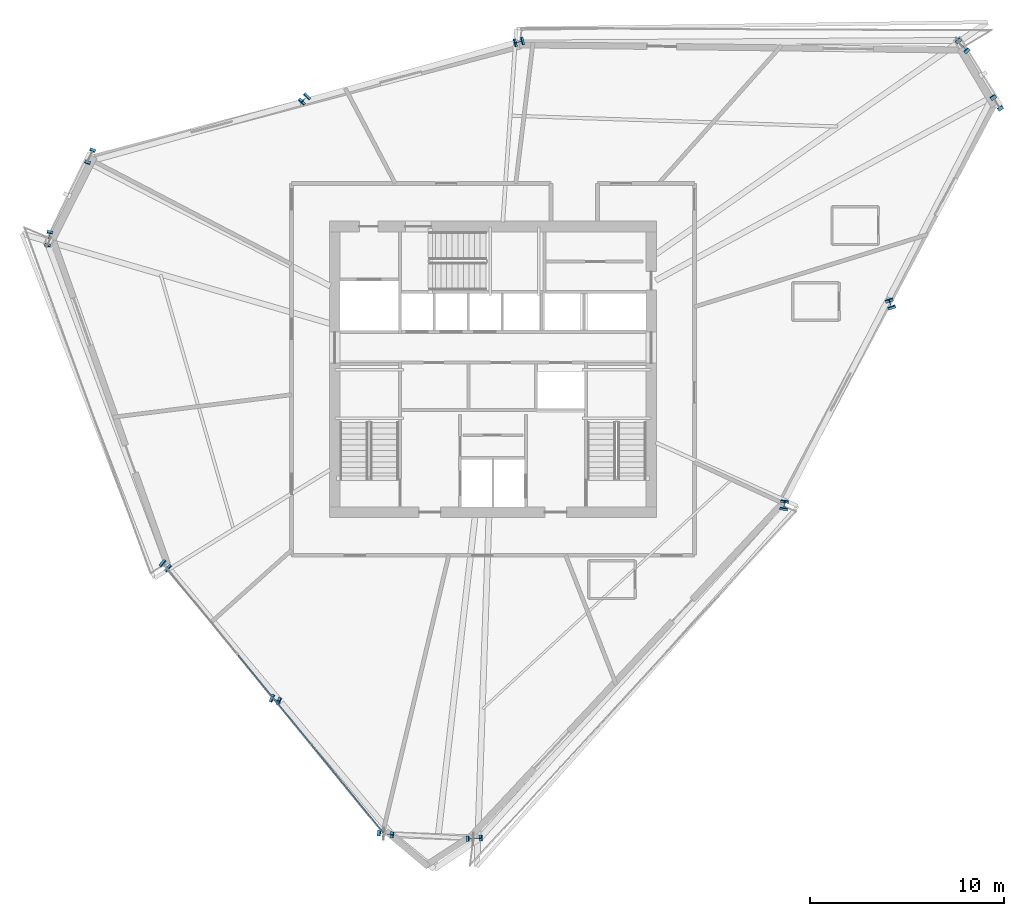
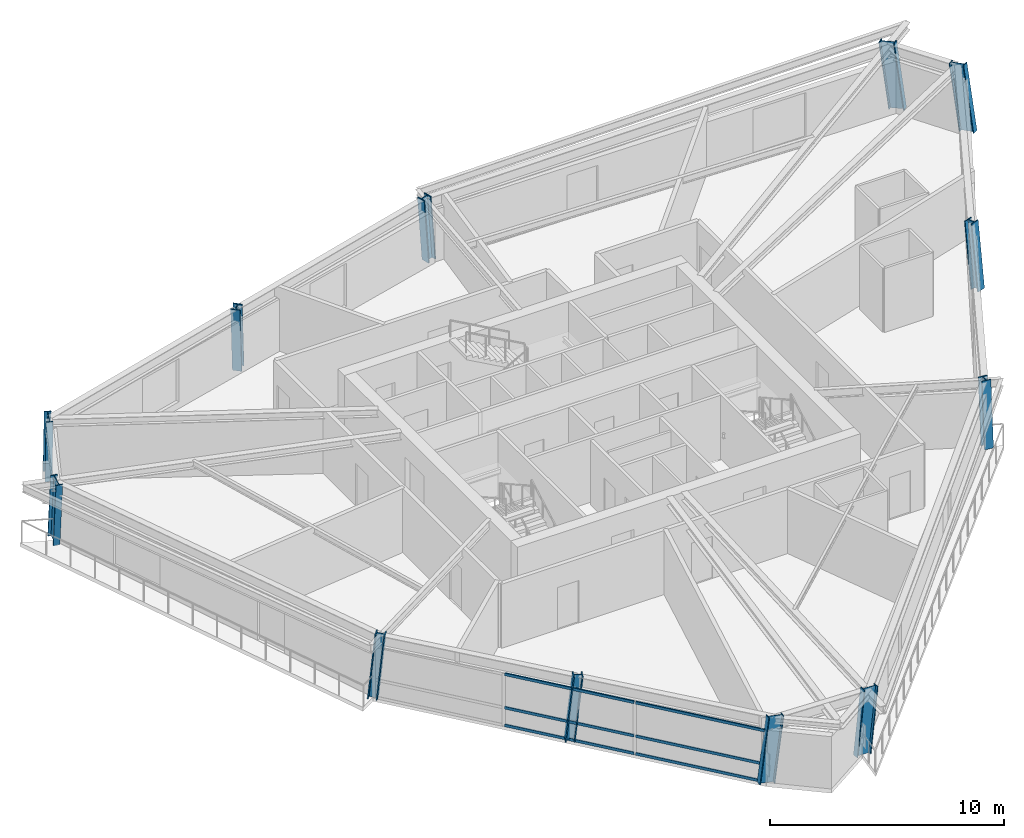
# One storey, part 1 of 15: 12 columns, 6 members, 1 element without a shape of its own.
"""IFC4 building model written with IfcOpenShell, lengths in metres."""

from ifc_helpers import new_model, si_unit, direction, frame, origin, origin_2d, place, context, subcontext, project, spatial, hollow_rectangle, i_section, extrude, source, transform, mapped, material, material_profile, profile_set, type_object, element, aggregate, save


model = new_model("IFC4")

# Units and contexts
model_context = context("Model", 3, precision=1e-05, world=origin(), true_north=direction((0.0, 1.0)))
body_context = subcontext(model_context, "Body", "Model", "MODEL_VIEW")
ifc_project = project(units=[si_unit("LENGTHUNIT", "METRE"), si_unit("AREAUNIT", "SQUARE_METRE"), si_unit("VOLUMEUNIT", "CUBIC_METRE"), si_unit("PLANEANGLEUNIT", "RADIAN"), si_unit("MASSUNIT", "GRAM", prefix="KILO")], contexts=[model_context])

# Site, building, storey
site_placement = place(None, origin())
site = spatial("IfcSite", under=ifc_project, at=site_placement, CompositionType="ELEMENT")
building_placement = place(site_placement, origin())
building = spatial("IfcBuilding", under=site, at=building_placement, Name="Olszyna Solenne Hotel", CompositionType="ELEMENT")
storey_placement = place(building_placement, frame((0.0, 0.0, 160.800048828125)))
storey = spatial("IfcBuildingStorey", under=building, at=storey_placement, Name="L42", CompositionType="ELEMENT", Elevation=160.800048828125)

# Columns
ifc_material_1 = material(Name="Steel S460M", Category="steel")
ifc_material_profile_1 = material_profile(ifc_material_1, i_section(OverallWidth=0.303955078125, OverallDepth=0.716064453125, WebThickness=0.02099609375, FlangeThickness=0.0400390625, at=origin_2d()), Name="HEM 700", Category="load-bearing")
ifc_profile_set_1 = profile_set([ifc_material_profile_1], Name="Steel S460M")
column_type_1 = type_object("IfcColumnType", Name="COL-K2", PredefinedType="COLUMN", material=ifc_profile_set_1)
shared_shape_1 = source(origin(), body_context, "Body", "SweptSolid", [
    extrude(i_section(OverallWidth=0.303955078125, OverallDepth=0.716064453125, WebThickness=0.02099609375, FlangeThickness=0.0400390625, at=origin_2d()), origin(), (0.0, 0.0, 1.0), 3.404296875),
])
column_1_placement = place(storey_placement, frame((36.969970703125, 2.372314453125, 0.0), z_axis=(0.106280411024, 0.006167419263, 0.994317070744), x_axis=(-0.057932229792, 0.998320518046, 0.0)))
element("IfcColumn", 1, at=column_1_placement, inside=storey, type_object=column_type_1, Name="Perimeter framed-tube column COL-K2 C-L42-10", PredefinedType="COLUMN", context=body_context, shape_type="MappedRepresentation", body=[
    mapped(shared_shape_1, transform((0.0, 0.0, 0.0), x_axis=(1.0, 0.0, 0.0), y_axis=(0.0, 1.0, 0.0), z_axis=(0.0, 0.0, 1.0), scale=1.0)),
])
shared_shape_2 = source(origin(), body_context, "Body", "SweptSolid", [
    extrude(i_section(OverallWidth=0.303955078125, OverallDepth=0.716064453125, WebThickness=0.02099609375, FlangeThickness=0.0400390625, at=origin_2d()), origin(), (0.0, 0.0, 1.0), 3.4189453125),
])
column_2_placement = place(storey_placement, frame((64.06396484375, 40.2861328125, 0.0), z_axis=(-0.077692176517, 0.11710953078, 0.990075392841), x_axis=(-0.833298909309, -0.552822691054, 0.0)))
element("IfcColumn", 2, at=column_2_placement, inside=storey, type_object=column_type_1, Name="Perimeter framed-tube column COL-K2 C-L42-01", PredefinedType="COLUMN", context=body_context, shape_type="MappedRepresentation", body=[
    mapped(shared_shape_2, transform((0.0, 0.0, 0.0), x_axis=(1.0, 0.0, 0.0), y_axis=(0.0, 1.0, 0.0), z_axis=(0.0, 0.0, 1.0), scale=1.0)),
])
shared_shape_3 = source(origin(), body_context, "Body", "SweptSolid", [
    extrude(i_section(OverallWidth=0.303955078125, OverallDepth=0.716064453125, WebThickness=0.02099609375, FlangeThickness=0.0400390625, at=origin_2d()), origin(), (0.0, 0.0, 1.0), 3.41455078125),
])
column_3_placement = place(storey_placement, frame((62.302978515625, 43.24609375, 0.0), z_axis=(-0.085515107199, 0.099457787721, 0.99136033555), x_axis=(-0.758255258479, -0.651957792337, 0.0)))
element("IfcColumn", 3, at=column_3_placement, inside=storey, type_object=column_type_1, Name="Perimeter framed-tube column COL-K2 C-L42-02", PredefinedType="COLUMN", context=body_context, shape_type="MappedRepresentation", body=[
    mapped(shared_shape_3, transform((0.0, 0.0, 0.0), x_axis=(1.0, 0.0, 0.0), y_axis=(0.0, 1.0, 0.0), z_axis=(0.0, 0.0, 1.0), scale=1.0)),
])
ifc_material_profile_2 = material_profile(ifc_material_1, i_section(OverallWidth=0.412109375, OverallDepth=0.43505859375, WebThickness=0.031494140625, FlangeThickness=0.050048828125, at=origin_2d()), Name="HD 400x463", Category="load-bearing")
ifc_profile_set_2 = profile_set([ifc_material_profile_2], Name="Steel S460M")
column_type_2 = type_object("IfcColumnType", Name="COL-T3", PredefinedType="COLUMN", material=ifc_profile_set_2)
shared_shape_4 = source(origin(), body_context, "Body", "SweptSolid", [
    extrude(i_section(OverallWidth=0.412109375, OverallDepth=0.43505859375, WebThickness=0.031494140625, FlangeThickness=0.050048828125, at=origin_2d()), origin(), (0.0, 0.0, 1.0), 3.395751953125),
])
column_4_placement = place(storey_placement, frame((39.381591796875, 43.518798828125, 0.0), z_axis=(-0.077429287371, -0.019698815914, 0.996803221358), x_axis=(0.246556357223, -0.969128455218, 0.0)))
element("IfcColumn", 4, at=column_4_placement, inside=storey, type_object=column_type_2, Name="Perimeter framed-tube column COL-T3 C-L42-03", PredefinedType="COLUMN", context=body_context, shape_type="MappedRepresentation", body=[
    mapped(shared_shape_4, transform((0.0, 0.0, 0.0), x_axis=(1.0, 0.0, 0.0), y_axis=(0.0, 1.0, 0.0), z_axis=(0.0, 0.0, 1.0), scale=1.0)),
])
shared_shape_5 = source(origin(), body_context, "Body", "SweptSolid", [
    extrude(i_section(OverallWidth=0.412109375, OverallDepth=0.43505859375, WebThickness=0.031494140625, FlangeThickness=0.050048828125, at=origin_2d()), origin(), (0.0, 0.0, 1.0), 3.398193359375),
])
column_5_placement = place(storey_placement, frame((28.2998046875, 40.593017578125, 0.0), z_axis=(-0.061069254027, -0.062937254738, 0.99614730245), x_axis=(0.717677026067, -0.696376109768, 0.0)))
element("IfcColumn", 5, at=column_5_placement, inside=storey, type_object=column_type_2, Name="Perimeter framed-tube column COL-T3 C-L42-04", PredefinedType="COLUMN", context=body_context, shape_type="MappedRepresentation", body=[
    mapped(shared_shape_5, transform((0.0, 0.0, 0.0), x_axis=(1.0, 0.0, 0.0), y_axis=(0.0, 1.0, 0.0), z_axis=(0.0, 0.0, 1.0), scale=1.0)),
])
shared_shape_6 = source(origin(), body_context, "Body", "SweptSolid", [
    extrude(i_section(OverallWidth=0.303955078125, OverallDepth=0.716064453125, WebThickness=0.02099609375, FlangeThickness=0.0400390625, at=origin_2d()), origin(), (0.0, 0.0, 1.0), 3.40771484375),
])
column_6_placement = place(storey_placement, frame((17.218017578125, 37.66748046875, 0.0), z_axis=(-0.044563769491, -0.105964332922, 0.993370842434), x_axis=(0.92179953957, -0.38766687871, 0.0)))
element("IfcColumn", 6, at=column_6_placement, inside=storey, type_object=column_type_1, Name="Perimeter framed-tube column COL-K2 C-L42-05", PredefinedType="COLUMN", context=body_context, shape_type="MappedRepresentation", body=[
    mapped(shared_shape_6, transform((0.0, 0.0, 0.0), x_axis=(1.0, 0.0, 0.0), y_axis=(0.0, 1.0, 0.0), z_axis=(0.0, 0.0, 1.0), scale=1.0)),
])
shared_shape_7 = source(origin(), body_context, "Body", "SweptSolid", [
    extrude(i_section(OverallWidth=0.303955078125, OverallDepth=0.716064453125, WebThickness=0.02099609375, FlangeThickness=0.0400390625, at=origin_2d()), origin(), (0.0, 0.0, 1.0), 3.4033203125),
])
column_7_placement = place(storey_placement, frame((15.066162109375, 33.406982421875, 0.0), z_axis=(-0.018149442813, -0.101866437921, 0.994632508292), x_axis=(0.984496060055, -0.17540669239, 0.0)))
element("IfcColumn", 7, at=column_7_placement, inside=storey, type_object=column_type_1, Name="Perimeter framed-tube column COL-K2 C-L42-06", PredefinedType="COLUMN", context=body_context, shape_type="MappedRepresentation", body=[
    mapped(shared_shape_7, transform((0.0, 0.0, 0.0), x_axis=(1.0, 0.0, 0.0), y_axis=(0.0, 1.0, 0.0), z_axis=(0.0, 0.0, 1.0), scale=1.0)),
])
shared_shape_8 = source(origin(), body_context, "Body", "SweptSolid", [
    extrude(i_section(OverallWidth=0.412109375, OverallDepth=0.43505859375, WebThickness=0.031494140625, FlangeThickness=0.050048828125, at=origin_2d()), origin(), (0.0, 0.0, 1.0), 3.400634765625),
])
column_8_placement = place(storey_placement, frame((21.033203125, 16.501708984375, 0.0), z_axis=(0.071005167008, -0.063753880994, 0.995436441425), x_axis=(0.668091372088, 0.744079242112, 0.0)))
element("IfcColumn", 8, at=column_8_placement, inside=storey, type_object=column_type_2, Name="Perimeter framed-tube column COL-T3 C-L42-07", PredefinedType="COLUMN", context=body_context, shape_type="MappedRepresentation", body=[
    mapped(shared_shape_8, transform((0.0, 0.0, 0.0), x_axis=(1.0, 0.0, 0.0), y_axis=(0.0, 1.0, 0.0), z_axis=(0.0, 0.0, 1.0), scale=1.0)),
])
shared_shape_9 = source(origin(), body_context, "Body", "SweptSolid", [
    extrude(i_section(OverallWidth=0.412109375, OverallDepth=0.43505859375, WebThickness=0.031494140625, FlangeThickness=0.050048828125, at=origin_2d()), origin(), (0.0, 0.0, 1.0), 3.4033203125),
])
column_9_placement = place(storey_placement, frame((26.7060546875, 9.561279296875, 0.0), z_axis=(0.09562503385, -0.03959866368, 0.994629478115), x_axis=(0.382596654669, 0.923915472235, 0.0)))
element("IfcColumn", 9, at=column_9_placement, inside=storey, type_object=column_type_2, Name="Perimeter framed-tube column COL-T3 C-L42-08", PredefinedType="COLUMN", context=body_context, shape_type="MappedRepresentation", body=[
    mapped(shared_shape_9, transform((0.0, 0.0, 0.0), x_axis=(1.0, 0.0, 0.0), y_axis=(0.0, 1.0, 0.0), z_axis=(0.0, 0.0, 1.0), scale=1.0)),
])
shared_shape_10 = source(origin(), body_context, "Body", "SweptSolid", [
    extrude(i_section(OverallWidth=0.303955078125, OverallDepth=0.716064453125, WebThickness=0.02099609375, FlangeThickness=0.0400390625, at=origin_2d()), origin(), (0.0, 0.0, 1.0), 3.41015625),
])
column_10_placement = place(storey_placement, frame((32.378662109375, 2.62109375, 0.0), z_axis=(0.120062274665, -0.015607379772, 0.99264367217), x_axis=(0.12890941525, 0.991656373276, 0.0)))
element("IfcColumn", 10, at=column_10_placement, inside=storey, type_object=column_type_1, Name="Perimeter framed-tube column COL-K2 C-L42-09", PredefinedType="COLUMN", context=body_context, shape_type="MappedRepresentation", body=[
    mapped(shared_shape_10, transform((0.0, 0.0, 0.0), x_axis=(1.0, 0.0, 0.0), y_axis=(0.0, 1.0, 0.0), z_axis=(0.0, 0.0, 1.0), scale=1.0)),
])
shared_shape_11 = source(origin(), body_context, "Body", "SweptSolid", [
    extrude(i_section(OverallWidth=0.412109375, OverallDepth=0.43505859375, WebThickness=0.031494140625, FlangeThickness=0.050048828125, at=origin_2d()), origin(), (0.0, 0.0, 1.0), 3.396728515625),
])
column_11_placement = place(storey_placement, frame((53.027099609375, 19.535400390625, 0.0), z_axis=(0.010134590283, 0.08215487017, 0.996568044534), x_axis=(-0.992476960813, 0.122431541098, 0.0)))
element("IfcColumn", 11, at=column_11_placement, inside=storey, type_object=column_type_2, Name="Perimeter framed-tube column COL-T3 C-L42-11", PredefinedType="COLUMN", context=body_context, shape_type="MappedRepresentation", body=[
    mapped(shared_shape_11, transform((0.0, 0.0, 0.0), x_axis=(1.0, 0.0, 0.0), y_axis=(0.0, 1.0, 0.0), z_axis=(0.0, 0.0, 1.0), scale=1.0)),
])
shared_shape_12 = source(origin(), body_context, "Body", "SweptSolid", [
    extrude(i_section(OverallWidth=0.412109375, OverallDepth=0.43505859375, WebThickness=0.031494140625, FlangeThickness=0.050048828125, at=origin_2d()), origin(), (0.0, 0.0, 1.0), 3.404052734375),
])
column_12_placement = place(storey_placement, frame((58.545654296875, 29.910888671875, 0.0), z_axis=(-0.033996381091, 0.09976575126, 0.994430008069), x_axis=(-0.946552690509, -0.322549227391, 0.0)))
element("IfcColumn", 12, at=column_12_placement, inside=storey, type_object=column_type_2, Name="Perimeter framed-tube column COL-T3 C-L42-12", PredefinedType="COLUMN", context=body_context, shape_type="MappedRepresentation", body=[
    mapped(shared_shape_12, transform((0.0, 0.0, 0.0), x_axis=(1.0, 0.0, 0.0), y_axis=(0.0, 1.0, 0.0), z_axis=(0.0, 0.0, 1.0), scale=1.0)),
])

# Curtain wall, members
ifc_material_2 = material(Name="Anodised bronze aluminium", Category="aluminium")
curtain_wall_type = type_object("IfcCurtainWallType", Name="CW-SYS-4", PredefinedType="NOTDEFINED", material=ifc_material_2)
curtain_wall_placement = place(storey_placement, origin())
curtain_wall = element("IfcCurtainWall", 13, at=curtain_wall_placement, inside=storey, type_object=curtain_wall_type, Name="Unitised curtain wall CW-SYS-4 CW-L42-01", PredefinedType="NOTDEFINED")
ifc_material_profile_3 = material_profile(ifc_material_2, hollow_rectangle(XDim=0.06494140625, YDim=0.139892578125, WallThickness=0.00390625, at=origin_2d()), Name="TRAN 140x65x4", Category="load-bearing")
ifc_profile_set_3 = profile_set([ifc_material_profile_3], Name="Anodised bronze aluminium")
member_type = type_object("IfcMemberType", Name="CW-T2", PredefinedType="USERDEFINED", material=ifc_profile_set_3)
shared_shape_13 = source(origin(), body_context, "Body", "SweptSolid", [
    extrude(hollow_rectangle(XDim=0.06494140625, YDim=0.139892578125, WallThickness=0.00390625, at=origin_2d()), origin(), (0.0, 0.0, 1.0), 5.878173828125),
])
member_1_placement = place(storey_placement, frame((28.617431640625, 7.22265625, 0.032470703125), z_axis=(0.632875851647, -0.774253289565, 0.0), x_axis=(0.774253289565, 0.632875851647, 0.0)))
member_1 = element("IfcMember", 14, at=member_1_placement, type_object=member_type, Name="Curtain-wall transom CW-T2 CT-L42-01-07", ObjectType="TRANSOM", PredefinedType="USERDEFINED", context=body_context, shape_type="MappedRepresentation", body=[
    mapped(shared_shape_13, transform((0.0, 0.0, 0.0), x_axis=(1.0, 0.0, 0.0), y_axis=(0.0, 1.0, 0.0), z_axis=(0.0, 0.0, 1.0), scale=1.0)),
])
member_2_placement = place(storey_placement, frame((28.617431640625, 7.22265625, 0.949951171875), z_axis=(0.632875851647, -0.774253289565, 0.0), x_axis=(0.774253289565, 0.632875851647, 0.0)))
member_2 = element("IfcMember", 15, at=member_2_placement, type_object=member_type, Name="Curtain-wall transom CW-T2 CT-L42-01-08", ObjectType="TRANSOM", PredefinedType="USERDEFINED", context=body_context, shape_type="MappedRepresentation", body=[
    mapped(shared_shape_13, transform((0.0, 0.0, 0.0), x_axis=(1.0, 0.0, 0.0), y_axis=(0.0, 1.0, 0.0), z_axis=(0.0, 0.0, 1.0), scale=1.0)),
])
member_3_placement = place(storey_placement, frame((28.617431640625, 7.22265625, 2.689453125), z_axis=(0.632875851647, -0.774253289565, 0.0), x_axis=(0.774253289565, 0.632875851647, 0.0)))
member_3 = element("IfcMember", 16, at=member_3_placement, type_object=member_type, Name="Curtain-wall transom CW-T2 CT-L42-01-09", ObjectType="TRANSOM", PredefinedType="USERDEFINED", context=body_context, shape_type="MappedRepresentation", body=[
    mapped(shared_shape_13, transform((0.0, 0.0, 0.0), x_axis=(1.0, 0.0, 0.0), y_axis=(0.0, 1.0, 0.0), z_axis=(0.0, 0.0, 1.0), scale=1.0)),
])
shared_shape_14 = source(origin(), body_context, "Body", "SweptSolid", [
    extrude(hollow_rectangle(XDim=0.06494140625, YDim=0.139892578125, WallThickness=0.00390625, at=origin_2d()), origin(), (0.0, 0.0, 1.0), 5.910888671875),
])
member_4_placement = place(storey_placement, frame((24.835693359375, 11.849609375, 0.032470703125), z_axis=(0.632850849507, -0.77427372568, 0.0), x_axis=(0.77427372568, 0.632850849507, 0.0)))
member_4 = element("IfcMember", 17, at=member_4_placement, type_object=member_type, Name="Curtain-wall transom CW-T2 CT-L42-01-04", ObjectType="TRANSOM", PredefinedType="USERDEFINED", context=body_context, shape_type="MappedRepresentation", body=[
    mapped(shared_shape_14, transform((0.0, 0.0, 0.0), x_axis=(1.0, 0.0, 0.0), y_axis=(0.0, 1.0, 0.0), z_axis=(0.0, 0.0, 1.0), scale=1.0)),
])
member_5_placement = place(storey_placement, frame((24.835693359375, 11.849609375, 0.949951171875), z_axis=(0.632850849507, -0.77427372568, 0.0), x_axis=(0.77427372568, 0.632850849507, 0.0)))
member_5 = element("IfcMember", 18, at=member_5_placement, type_object=member_type, Name="Curtain-wall transom CW-T2 CT-L42-01-05", ObjectType="TRANSOM", PredefinedType="USERDEFINED", context=body_context, shape_type="MappedRepresentation", body=[
    mapped(shared_shape_14, transform((0.0, 0.0, 0.0), x_axis=(1.0, 0.0, 0.0), y_axis=(0.0, 1.0, 0.0), z_axis=(0.0, 0.0, 1.0), scale=1.0)),
])
member_6_placement = place(storey_placement, frame((24.835693359375, 11.849609375, 2.689453125), z_axis=(0.632850849507, -0.77427372568, 0.0), x_axis=(0.77427372568, 0.632850849507, 0.0)))
member_6 = element("IfcMember", 19, at=member_6_placement, type_object=member_type, Name="Curtain-wall transom CW-T2 CT-L42-01-06", ObjectType="TRANSOM", PredefinedType="USERDEFINED", context=body_context, shape_type="MappedRepresentation", body=[
    mapped(shared_shape_14, transform((0.0, 0.0, 0.0), x_axis=(1.0, 0.0, 0.0), y_axis=(0.0, 1.0, 0.0), z_axis=(0.0, 0.0, 1.0), scale=1.0)),
])
aggregate(curtain_wall, [member_4, member_5, member_6, member_1, member_2, member_3])

save(model, "model.ifc")
